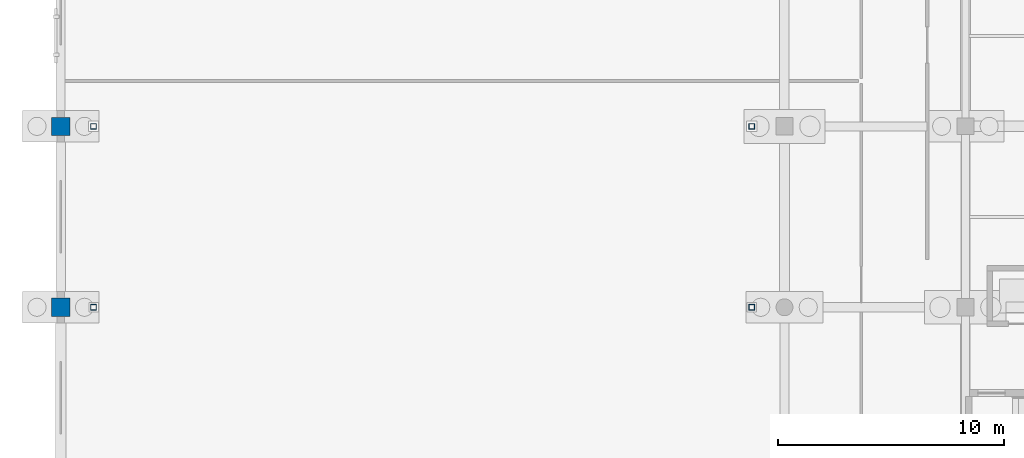
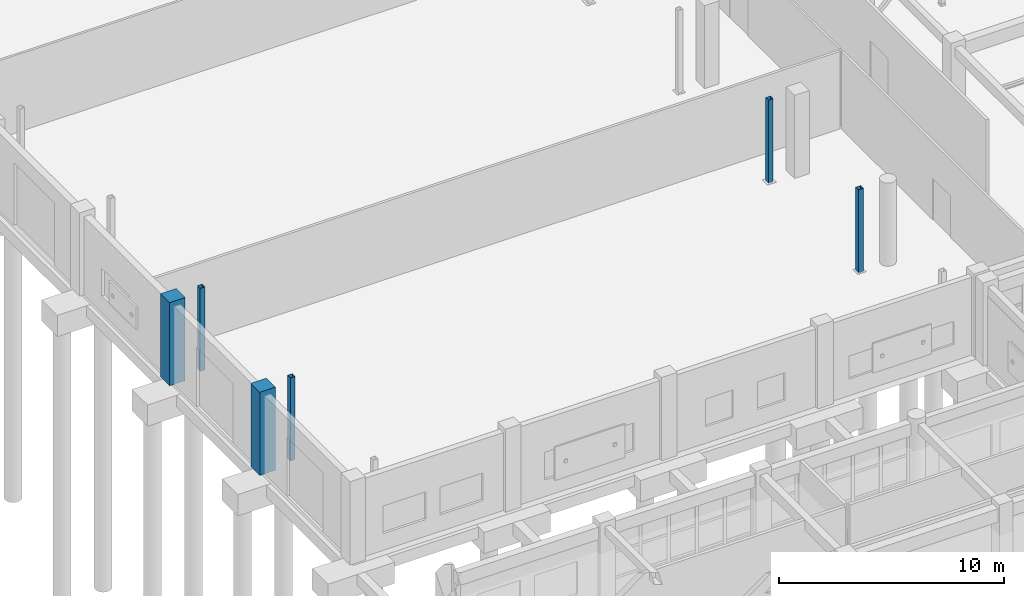
# One storey, part 17 of 166: 6 columns.
"""IFC4 building model written with IfcOpenShell, lengths in metres."""

from ifc_helpers import new_model, si_unit, direction, frame, origin, origin_2d, place, context, subcontext, project, spatial, rectangle, hollow_rectangle, extrude, material, material_profile, profile_set, type_object, element, save


model = new_model("IFC4")

# Units and contexts
model_context = context("Model", 3, precision=1e-05, world=origin(), true_north=direction((0.0, 1.0)))
body_context = subcontext(model_context, "Body", "Model", "MODEL_VIEW")
ifc_project = project(units=[si_unit("LENGTHUNIT", "METRE"), si_unit("AREAUNIT", "SQUARE_METRE"), si_unit("VOLUMEUNIT", "CUBIC_METRE"), si_unit("PLANEANGLEUNIT", "RADIAN"), si_unit("MASSUNIT", "GRAM", prefix="KILO")], contexts=[model_context])

# Site, building, storey
site_placement = place(None, origin())
site = spatial("IfcSite", under=ifc_project, at=site_placement, CompositionType="ELEMENT")
building_placement = place(site_placement, origin())
building = spatial("IfcBuilding", under=site, at=building_placement, Name="Kharva Crest Polytechnic", CompositionType="ELEMENT")
storey_placement = place(building_placement, origin())
storey = spatial("IfcBuildingStorey", under=building, at=storey_placement, Name="L00", CompositionType="ELEMENT", Elevation=0.0)

# Columns
ifc_material_1 = material(Name="Concrete C40/50", Category="concrete")
ifc_material_profile_1 = material_profile(ifc_material_1, rectangle(XDim=0.800048828125, YDim=0.800048828125, at=origin_2d()), Name="RECT 800 X 800")
ifc_profile_set_1 = profile_set([ifc_material_profile_1], Name="Concrete C40/50")
column_type_1 = type_object("IfcColumnType", Name="COL-EXT-800X800", PredefinedType="COLUMN", material=ifc_profile_set_1)
for number, where, z_axis, x_axis, name in (
    (1, (0.0, 46.800048828125, 0.0), (0.0, 0.0, 1.0), (1.0, 0.0, 0.0), "L00 Column 1/G"),
    (2, (0.0, 54.800048828125, 0.0), (0.0, 0.0, 1.0), (1.0, 0.0, 0.0), "L00 Column 1/H"),
):
    element("IfcColumn", number, at=place(storey_placement, frame(where, z_axis=z_axis, x_axis=x_axis)), inside=storey, type_object=column_type_1, Name=name, PredefinedType="COLUMN", context=body_context, shape_type="SweptSolid", body=[
        extrude(rectangle(XDim=0.800048828125, YDim=0.800048828125, at=origin_2d()), origin(), (0.0, 0.0, 1.0), 4.5),
    ])
ifc_material_2 = material(Name="Steel S355", Category="steel")
ifc_material_profile_2 = material_profile(ifc_material_2, hollow_rectangle(XDim=0.25, YDim=0.25, WallThickness=0.010009765625, at=origin_2d()), Name="RHS 250X250X10.0")
ifc_profile_set_2 = profile_set([ifc_material_profile_2], Name="Steel S355")
column_type_2 = type_object("IfcColumnType", Name="COL-STL-RHS250", PredefinedType="COLUMN", material=ifc_profile_set_2)
for number, where, z_axis, x_axis, name in (
    (3, (1.449951171875, 46.800048828125, 0.0), (0.0, 0.0, 1.0), (1.0, 0.0, 0.0), "L00 Crane Column W2"),
    (4, (1.449951171875, 54.800048828125, 0.0), (0.0, 0.0, 1.0), (1.0, 0.0, 0.0), "L00 Crane Column W3"),
    (5, (30.550048828125, 46.800048828125, 0.0), (0.0, 0.0, 1.0), (1.0, 0.0, 0.0), "L00 Crane Column E2"),
    (6, (30.550048828125, 54.800048828125, 0.0), (0.0, 0.0, 1.0), (1.0, 0.0, 0.0), "L00 Crane Column E3"),
):
    element("IfcColumn", number, at=place(storey_placement, frame(where, z_axis=z_axis, x_axis=x_axis)), inside=storey, type_object=column_type_2, Name=name, PredefinedType="COLUMN", context=body_context, shape_type="SweptSolid", body=[
        extrude(hollow_rectangle(XDim=0.25, YDim=0.25, WallThickness=0.010009765625, at=origin_2d()), origin(), (0.0, 0.0, 1.0), 4.5),
    ])

save(model, "model.ifc")
